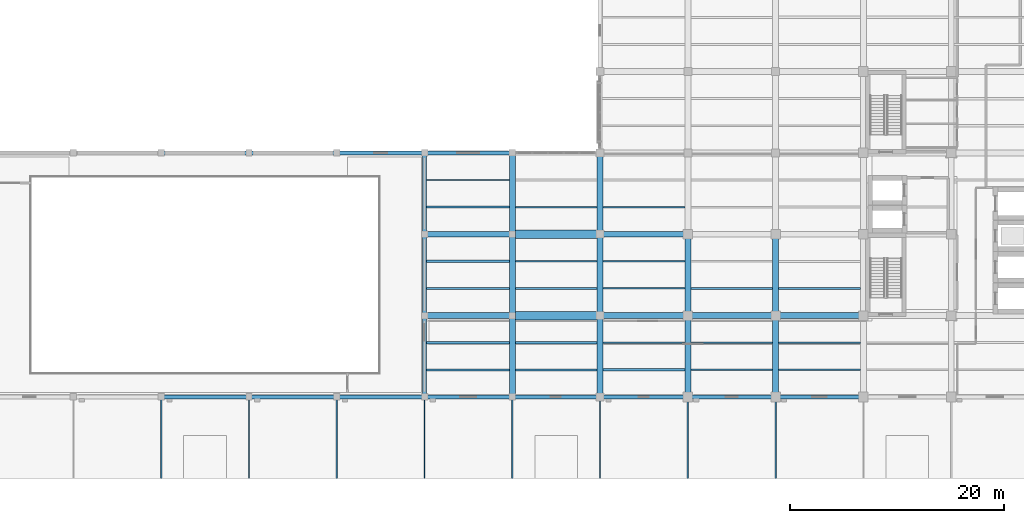
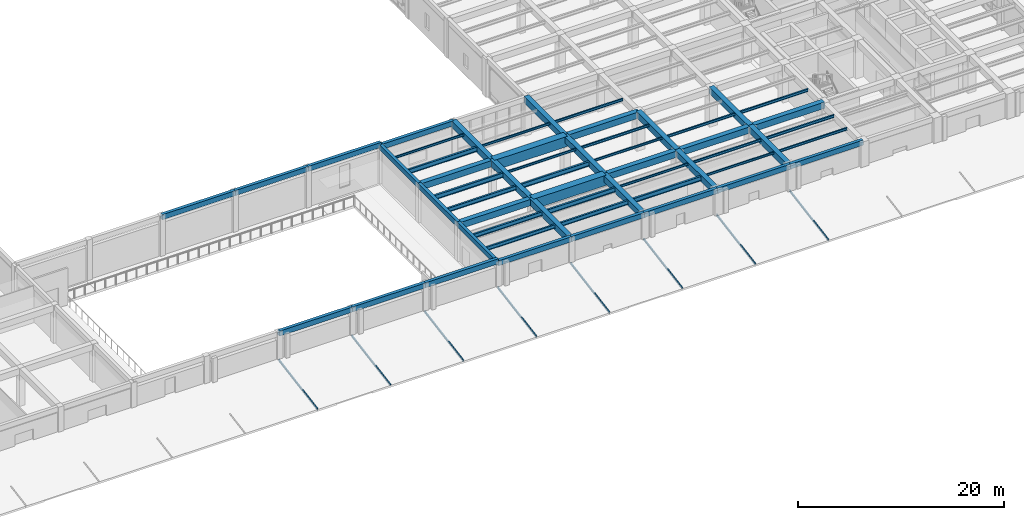
# One storey, part 9 of 57: 55 beams, 8 members.
"""IFC4 building model written with IfcOpenShell, lengths in metres."""

import ifcopenshell
import ifcopenshell.guid

model = None  # the IFC model being written
_history = None  # IfcOwnerHistory: only IFC2X3 demands one
_inside = {}  # id of a spatial element -> (the spatial element, [elements in it])
_under = {}  # id of a project, library or spatial element -> (it, [spatial elements below it])
_declared = {}  # id of a project -> (the project, [libraries it declares])
_typed = {}  # id of a type object -> (the type object, [elements of that type])
_made_of = {}  # id of a material, layer set ... -> (it, [elements and type objects made of it])


def new_model(schema):
    """Start an empty IFC model of exactly this schema.

    Asked for "IFC4X3", IfcOpenShell would pick the latest addendum, in which some entities
    have other attributes; the version numbers below select the first issue.
    IFC2X3 requires an IfcOwnerHistory on every rooted entity: one is made here for all.
    """
    global model, _history
    if schema == "IFC4X3":
        model = ifcopenshell.file(schema_version=(4, 3, 0, 0))
    else:
        model = ifcopenshell.file(schema=schema)
    _inside.clear()
    _under.clear()
    _declared.clear()
    _typed.clear()
    _made_of.clear()
    _history = None
    if model.schema == "IFC2X3":
        org = make("IfcOrganization", Name="unknown")
        user = make(
            "IfcPersonAndOrganization",
            ThePerson=make("IfcPerson", FamilyName="unknown"),
            TheOrganization=org,
        )
        app = make(
            "IfcApplication",
            ApplicationDeveloper=org,
            Version="unknown",
            ApplicationFullName="unknown",
            ApplicationIdentifier="unknown",
        )
        _history = make(
            "IfcOwnerHistory",
            OwningUser=user,
            OwningApplication=app,
            ChangeAction="ADDED",
            CreationDate=0,
        )
    return model


def make(cls, **values):
    """One entity of the class cls with the attributes given. An attribute that is None is left unset."""
    return model.create_entity(
        cls, **{name: value for name, value in values.items() if value is not None}
    )


def rooted(cls, **values):
    """An entity with a GlobalId (a new one), such as an element, a storey or a relation."""
    return make(cls, GlobalId=ifcopenshell.guid.new(), OwnerHistory=_history, **values)


def si_unit(unit_type, name, prefix=None):
    """IfcSIUnit, for example si_unit("LENGTHUNIT", "METRE", prefix="MILLI")."""
    return make("IfcSIUnit", UnitType=unit_type, Prefix=prefix, Name=name)


def assignment(units):
    """IfcUnitAssignment: the units of a project."""
    return None if units is None else make("IfcUnitAssignment", Units=units)


def point(xyz):
    """IfcCartesianPoint."""
    return None if xyz is None else make("IfcCartesianPoint", Coordinates=xyz)


def direction(xyz):
    """IfcDirection."""
    return None if xyz is None else make("IfcDirection", DirectionRatios=xyz)


def frame(location, z_axis=None, x_axis=None):
    """IfcAxis2Placement3D, a coordinate frame: its origin and axes. An axis left out is left unset."""
    return make(
        "IfcAxis2Placement3D",
        Location=point(location),
        Axis=direction(z_axis),
        RefDirection=direction(x_axis),
    )


def frame_2d(location, x_axis=None):
    """IfcAxis2Placement2D, a coordinate frame in the plane: its origin and x axis."""
    return make(
        "IfcAxis2Placement2D", Location=point(location), RefDirection=direction(x_axis)
    )


def origin():
    """The frame at (0, 0, 0) with its axes left unset."""
    return frame((0.0, 0.0, 0.0))


def origin_2d():
    """The frame at (0, 0) in the plane with its x axis left unset."""
    return frame_2d((0.0, 0.0))


def place(relative_to, where):
    """IfcLocalPlacement: puts the frame where relative to a parent placement (None: the world)."""
    return make(
        "IfcLocalPlacement", PlacementRelTo=relative_to, RelativePlacement=where
    )


def context(
    kind, dimensions, precision=None, world=None, true_north=None, identifier=None
):
    """IfcGeometricRepresentationContext, for example the 3D "Model" context."""
    return make(
        "IfcGeometricRepresentationContext",
        ContextIdentifier=identifier,
        ContextType=kind,
        CoordinateSpaceDimension=dimensions,
        Precision=precision,
        WorldCoordinateSystem=world,
        TrueNorth=true_north,
    )


def subcontext(parent, identifier, kind, view, scale=None):
    """IfcGeometricRepresentationSubContext, for example "Body" below "Model"."""
    return make(
        "IfcGeometricRepresentationSubContext",
        ContextIdentifier=identifier,
        ContextType=kind,
        ParentContext=parent,
        TargetScale=scale,
        TargetView=view,
    )


def project(units=None, contexts=None):
    """IfcProject with its units and contexts."""
    return rooted(
        "IfcProject",
        Name="project",
        RepresentationContexts=contexts,
        UnitsInContext=assignment(units),
    )


def spatial(cls, under=None, at=None, **own):
    """A site, building, storey or space (cls), placed at a placement, below another one or the project."""
    s = rooted(cls, ObjectPlacement=at, **own)
    if under is not None:
        _under.setdefault(under.id(), (under, []))[1].append(s)
    return s


def profile(cls, at=None, kind="AREA", **sizes):
    """A parametric profile (cls). Its sizes go by their IFC names, for example OverallWidth=200.0."""
    return make(cls, ProfileType=kind, Position=at, **sizes)


def rectangle(**sizes):
    """IfcRectangleProfileDef."""
    return profile("IfcRectangleProfileDef", **sizes)


def i_section(**sizes):
    """IfcIShapeProfileDef."""
    return profile("IfcIShapeProfileDef", **sizes)


def extrude(swept, where, along, depth):
    """IfcExtrudedAreaSolid: the profile swept, set in the frame where, extruded along a direction by depth."""
    return make(
        "IfcExtrudedAreaSolid",
        SweptArea=swept,
        Position=where,
        ExtrudedDirection=direction(along),
        Depth=depth,
    )


def shape(context_of_items, identifier, shape_type, items):
    """IfcShapeRepresentation: the items that make up one representation, for example the "Body"."""
    return make(
        "IfcShapeRepresentation",
        ContextOfItems=context_of_items,
        RepresentationIdentifier=identifier,
        RepresentationType=shape_type,
        Items=items,
    )


def material(Name=None, Category=None):
    """IfcMaterial."""
    return make("IfcMaterial", Name=Name, Category=Category)


def material_profile(
    of_material, cross_section, Name=None, Category=None, Priority=None
):
    """IfcMaterialProfile: a cross section and its material."""
    return make(
        "IfcMaterialProfile",
        Name=Name,
        Material=of_material,
        Profile=cross_section,
        Priority=Priority,
        Category=Category,
    )


def profile_set(profiles, Name=None, composite=None):
    """IfcMaterialProfileSet."""
    return make(
        "IfcMaterialProfileSet",
        Name=Name,
        MaterialProfiles=profiles,
        CompositeProfile=composite,
    )


def made_of(thing, what):
    """Note that an element or type object is made of a material, layer set ...; save() writes the relation."""
    if what is not None:
        _made_of.setdefault(what.id(), (what, []))[1].append(thing)
    return thing


def type_object(cls, material=None, **own):
    """A type object (cls), such as IfcWallType, which elements share."""
    return made_of(rooted(cls, **own), material)


def element(
    cls,
    number,
    at=None,
    inside=None,
    cuts=None,
    type_object=None,
    material=None,
    context=None,
    identifier="Body",
    shape_type=None,
    held_by="IfcProductDefinitionShape",
    body=None,
    shapes=None,
    **own,
):
    """One element of the class cls, such as IfcWall. Its Tag is "e" and its number.

    at: its placement. inside: the storey or other place that contains it. cuts: it is an
    opening in that element (IfcRelVoidsElement). A single representation is given by context,
    identifier, shape_type and body (its items); several are given by shapes. held_by: the class
    of the entity that holds the representations. save() writes the other relations.
    """
    e = rooted(cls, Tag="e%d" % number, ObjectPlacement=at, **own)
    if body is not None:
        shapes = [shape(context, identifier, shape_type, body)]
    if shapes is not None:
        e.Representation = make(held_by, Representations=shapes)
    if inside is not None:
        _inside.setdefault(inside.id(), (inside, []))[1].append(e)
    if cuts is not None:
        rooted(
            "IfcRelVoidsElement", RelatingBuildingElement=cuts, RelatedOpeningElement=e
        )
    if type_object is not None:
        _typed.setdefault(type_object.id(), (type_object, []))[1].append(e)
    return made_of(e, material)


def aggregate(whole, parts):
    """IfcRelAggregates: a whole, such as a stair, and the parts it consists of."""
    return rooted("IfcRelAggregates", RelatingObject=whole, RelatedObjects=parts)


def save(model, path):
    """Write the relations noted so far, then the file.

    IfcRelAggregates (storeys below a building ...), IfcRelContainedInSpatialStructure (elements
    in a storey), IfcRelDefinesByType, IfcRelAssociatesMaterial and IfcRelDeclares: one each for
    every whole, place, type object, material and project.
    """
    for whole, parts in _under.values():
        aggregate(whole, parts)
    for where, things in _inside.values():
        rooted(
            "IfcRelContainedInSpatialStructure",
            RelatedElements=things,
            RelatingStructure=where,
        )
    for kind, things in _typed.values():
        rooted("IfcRelDefinesByType", RelatedObjects=things, RelatingType=kind)
    for what, things in _made_of.values():
        rooted("IfcRelAssociatesMaterial", RelatedObjects=things, RelatingMaterial=what)
    for by, libraries in _declared.values():
        rooted("IfcRelDeclares", RelatingContext=by, RelatedDefinitions=libraries)
    model.write(path)


model = new_model("IFC4")

# Units and contexts
model_context = context("Model", 3, precision=1e-05, world=origin(), true_north=direction((0.0, 1.0)))
body_context = subcontext(model_context, "Body", "Model", "MODEL_VIEW")
ifc_project = project(units=[si_unit("LENGTHUNIT", "METRE"), si_unit("AREAUNIT", "SQUARE_METRE"), si_unit("VOLUMEUNIT", "CUBIC_METRE"), si_unit("PLANEANGLEUNIT", "RADIAN"), si_unit("MASSUNIT", "GRAM", prefix="KILO")], contexts=[model_context])

# Site, building, storey
site_placement = place(None, origin())
site = spatial("IfcSite", under=ifc_project, at=site_placement, CompositionType="ELEMENT")
building_placement = place(site_placement, origin())
building = spatial("IfcBuilding", under=site, at=building_placement, Name="Qandaris Square Conservatory and Botanical Centre", CompositionType="ELEMENT")
storey_placement = place(building_placement, frame((0.0, 0.0, 5.39990234375)))
storey = spatial("IfcBuildingStorey", under=building, at=storey_placement, Name="L01", CompositionType="ELEMENT", Elevation=5.39990234375)

# Members
ifc_material_1 = material(Name="Steel S355", Category="steel")
ifc_material_profile_1 = material_profile(ifc_material_1, i_section(OverallWidth=0.1201171875, OverallDepth=0.239990234375, WebThickness=0.006103515625, FlangeThickness=0.009765625, FilletRadius=0.014892578125, at=origin_2d()), Name="IPE 240")
ifc_profile_set_1 = profile_set([ifc_material_profile_1], Name="Steel S355")
member_type = type_object("IfcMemberType", Name="Colonnade Prairie Rafter IPE 240", PredefinedType="RAFTER", material=ifc_profile_set_1)
for number, where, z_axis, x_axis, name in (
    (1, (73.60009765625, 9.0, 0.0), (0.0, 0.985248666016, 0.17112879978), (-1.0, 0.0, 0.0), "Colonnade South Rafter 021"),
    (2, (81.800048828125, 9.0, 0.0), (0.0, 0.985248666016, 0.17112879978), (-1.0, 0.0, 0.0), "Colonnade South Rafter 022"),
    (3, (90.0, 9.0, 0.0), (0.0, 0.985248666016, 0.17112879978), (-1.0, 0.0, 0.0), "Colonnade South Rafter 023"),
    (4, (98.199951171875, 9.0, 0.0), (0.0, 0.985248666016, 0.17112879978), (-1.0, 0.0, 0.0), "Colonnade South Rafter 024"),
    (5, (106.39990234375, 9.0, 0.0), (0.0, 0.985248666016, 0.17112879978), (-1.0, 0.0, 0.0), "Colonnade South Rafter 025"),
    (6, (114.60009765625, 9.0, 0.0), (0.0, 0.985248666016, 0.17112879978), (-1.0, 0.0, 0.0), "Colonnade South Rafter 026"),
    (7, (122.800048828125, 9.0, 0.0), (0.0, 0.985248666016, 0.17112879978), (-1.0, 0.0, 0.0), "Colonnade South Rafter 027"),
    (8, (131.0, 9.0, 0.0), (0.0, 0.985248666016, 0.17112879978), (-1.0, 0.0, 0.0), "Colonnade South Rafter 028"),
):
    element("IfcMember", number, at=place(storey_placement, frame(where, z_axis=z_axis, x_axis=x_axis)), inside=storey, type_object=member_type, Name=name, PredefinedType="RAFTER", context=body_context, shape_type="SweptSolid", body=[
        extrude(i_section(OverallWidth=0.1201171875, OverallDepth=0.239990234375, WebThickness=0.006103515625, FlangeThickness=0.009765625, FilletRadius=0.014892578125, at=origin_2d()), origin(), (0.0, 0.0, 1.0), 7.7138671875),
    ])

# Beams
ifc_material_profile_2 = material_profile(ifc_material_1, i_section(OverallWidth=0.18994140625, OverallDepth=0.449951171875, WebThickness=0.009521484375, FlangeThickness=0.0146484375, FilletRadius=0.02099609375, at=origin_2d()), Name="IPE 450")
ifc_profile_set_2 = profile_set([ifc_material_profile_2], Name="Steel S355")
beam_type_1 = type_object("IfcBeamType", Name="Composite Archive Joist IPE 450", PredefinedType="JOIST", material=ifc_profile_set_2)
beam_1_placement = place(storey_placement, frame((98.375, 19.13330078125, 4.28515625), z_axis=(1.0, 0.0, 0.0), x_axis=(0.0, 1.0, 0.0)))
element("IfcBeam", 9, at=beam_1_placement, inside=storey, type_object=beam_type_1, Name="L01 Composite Joist 1155", PredefinedType="JOIST", context=body_context, shape_type="SweptSolid", body=[
    extrude(i_section(OverallWidth=0.18994140625, OverallDepth=0.449951171875, WebThickness=0.009521484375, FlangeThickness=0.0146484375, FilletRadius=0.02099609375, at=origin_2d()), origin(), (0.0, 0.0, 1.0), 7.75),
])
ifc_material_profile_3 = material_profile(ifc_material_1, i_section(OverallWidth=0.199951171875, OverallDepth=0.5, WebThickness=0.01025390625, FlangeThickness=0.01611328125, FilletRadius=0.02099609375, at=origin_2d()), Name="IPE 500")
ifc_profile_set_3 = profile_set([ifc_material_profile_3], Name="Steel S355")
beam_type_2 = type_object("IfcBeamType", Name="Composite Gallery Joist IPE 500", PredefinedType="JOIST", material=ifc_profile_set_3)
for number, where, z_axis, x_axis, name in (
    (10, (98.375, 21.666748046875, 4.260009765625), (1.0, 0.0, 0.0), (0.0, 1.0, 0.0), "L01 Composite Joist 1156"),
    (11, (98.375, 26.7333984375, 4.260009765625), (1.0, 0.0, 0.0), (0.0, 1.0, 0.0), "L01 Composite Joist 1157"),
):
    element("IfcBeam", number, at=place(storey_placement, frame(where, z_axis=z_axis, x_axis=x_axis)), inside=storey, type_object=beam_type_2, Name=name, PredefinedType="JOIST", context=body_context, shape_type="SweptSolid", body=[
        extrude(i_section(OverallWidth=0.199951171875, OverallDepth=0.5, WebThickness=0.01025390625, FlangeThickness=0.01611328125, FilletRadius=0.02099609375, at=origin_2d()), origin(), (0.0, 0.0, 1.0), 7.75),
    ])
beam_2_placement = place(storey_placement, frame((106.675048828125, 19.13330078125, 4.260009765625), z_axis=(1.0, 0.0, 0.0), x_axis=(0.0, 1.0, 0.0)))
element("IfcBeam", 12, at=beam_2_placement, inside=storey, type_object=beam_type_2, Name="L01 Composite Joist 1161", PredefinedType="JOIST", context=body_context, shape_type="SweptSolid", body=[
    extrude(i_section(OverallWidth=0.199951171875, OverallDepth=0.5, WebThickness=0.01025390625, FlangeThickness=0.01611328125, FilletRadius=0.02099609375, at=origin_2d()), origin(), (0.0, 0.0, 1.0), 7.64990234375),
])
ifc_material_profile_4 = material_profile(ifc_material_1, i_section(OverallWidth=0.14990234375, OverallDepth=0.300048828125, WebThickness=0.007080078125, FlangeThickness=0.0107421875, FilletRadius=0.014892578125, at=origin_2d()), Name="IPE 300")
ifc_profile_set_4 = profile_set([ifc_material_profile_4], Name="Steel S355")
beam_type_3 = type_object("IfcBeamType", Name="Composite Lab Joist IPE 300", PredefinedType="JOIST", material=ifc_profile_set_4)
for number, where, z_axis, x_axis, name in (
    (13, (114.875, 29.2666015625, 4.360107421875), (1.0, 0.0, 0.0), (0.0, 1.0, 0.0), "L01 Composite Joist 1170"),
    (14, (114.875, 34.333251953125, 4.360107421875), (1.0, 0.0, 0.0), (0.0, 1.0, 0.0), "L01 Composite Joist 1171"),
):
    element("IfcBeam", number, at=place(storey_placement, frame(where, z_axis=z_axis, x_axis=x_axis)), inside=storey, type_object=beam_type_3, Name=name, PredefinedType="JOIST", context=body_context, shape_type="SweptSolid", body=[
        extrude(i_section(OverallWidth=0.14990234375, OverallDepth=0.300048828125, WebThickness=0.007080078125, FlangeThickness=0.0107421875, FilletRadius=0.014892578125, at=origin_2d()), origin(), (0.0, 0.0, 1.0), 7.64990234375),
    ])
for number, where, z_axis, x_axis, name in (
    (15, (123.074951171875, 21.666748046875, 4.360107421875), (1.0, 0.0, 0.0), (0.0, 1.0, 0.0), "L01 Composite Joist 1190"),
    (16, (123.074951171875, 26.7333984375, 4.360107421875), (1.0, 0.0, 0.0), (0.0, 1.0, 0.0), "L01 Composite Joist 1191"),
    (17, (131.27490234375, 19.13330078125, 4.360107421875), (1.0, 0.0, 0.0), (0.0, 1.0, 0.0), "L01 Composite Joist 1211"),
):
    element("IfcBeam", number, at=place(storey_placement, frame(where, z_axis=z_axis, x_axis=x_axis)), inside=storey, type_object=beam_type_3, Name=name, PredefinedType="JOIST", context=body_context, shape_type="SweptSolid", body=[
        extrude(i_section(OverallWidth=0.14990234375, OverallDepth=0.300048828125, WebThickness=0.007080078125, FlangeThickness=0.0107421875, FilletRadius=0.014892578125, at=origin_2d()), origin(), (0.0, 0.0, 1.0), 7.650146484375),
    ])
ifc_material_profile_5 = material_profile(ifc_material_1, i_section(OverallWidth=0.159912109375, OverallDepth=0.330078125, WebThickness=0.007568359375, FlangeThickness=0.011474609375, FilletRadius=0.01806640625, at=origin_2d()), Name="IPE 330")
ifc_profile_set_5 = profile_set([ifc_material_profile_5], Name="Steel S355")
beam_type_4 = type_object("IfcBeamType", Name="Composite Lab Joist IPE 330", PredefinedType="JOIST", material=ifc_profile_set_5)
for number, where, z_axis, x_axis, name in (
    (18, (131.27490234375, 21.666748046875, 4.34521484375), (1.0, 0.0, 0.0), (0.0, 1.0, 0.0), "L01 Composite Joist 1212"),
    (19, (131.27490234375, 26.7333984375, 4.34521484375), (1.0, 0.0, 0.0), (0.0, 1.0, 0.0), "L01 Composite Joist 1213"),
):
    element("IfcBeam", number, at=place(storey_placement, frame(where, z_axis=z_axis, x_axis=x_axis)), inside=storey, type_object=beam_type_4, Name=name, PredefinedType="JOIST", context=body_context, shape_type="SweptSolid", body=[
        extrude(i_section(OverallWidth=0.159912109375, OverallDepth=0.330078125, WebThickness=0.007568359375, FlangeThickness=0.011474609375, FilletRadius=0.01806640625, at=origin_2d()), origin(), (0.0, 0.0, 1.0), 7.650146484375),
    ])
ifc_material_profile_6 = material_profile(ifc_material_1, i_section(OverallWidth=0.2099609375, OverallDepth=0.550048828125, WebThickness=0.010986328125, FlangeThickness=0.01708984375, FilletRadius=0.02392578125, at=origin_2d()), Name="IPE 550")
ifc_profile_set_6 = profile_set([ifc_material_profile_6], Name="Steel S355")
beam_type_5 = type_object("IfcBeamType", Name="Long-Span Foyer Joist IPE 550", PredefinedType="JOIST", material=ifc_profile_set_6)
for number, where, z_axis, x_axis, name in (
    (20, (98.375, 29.2666015625, 4.235107421875), (1.0, 0.0, 0.0), (0.0, 1.0, 0.0), "L01 Composite Joist 1158"),
    (21, (98.375, 34.333251953125, 4.235107421875), (1.0, 0.0, 0.0), (0.0, 1.0, 0.0), "L01 Composite Joist 1159"),
):
    element("IfcBeam", number, at=place(storey_placement, frame(where, z_axis=z_axis, x_axis=x_axis)), inside=storey, type_object=beam_type_5, Name=name, PredefinedType="JOIST", context=body_context, shape_type="SweptSolid", body=[
        extrude(i_section(OverallWidth=0.2099609375, OverallDepth=0.550048828125, WebThickness=0.010986328125, FlangeThickness=0.01708984375, FilletRadius=0.02392578125, at=origin_2d()), origin(), (0.0, 0.0, 1.0), 7.75),
    ])
for number, where, z_axis, x_axis, name in (
    (22, (106.675048828125, 21.666748046875, 4.235107421875), (1.0, 0.0, 0.0), (0.0, 1.0, 0.0), "L01 Composite Joist 1162"),
    (23, (106.675048828125, 26.7333984375, 4.235107421875), (1.0, 0.0, 0.0), (0.0, 1.0, 0.0), "L01 Composite Joist 1163"),
    (24, (114.875, 19.13330078125, 4.235107421875), (1.0, 0.0, 0.0), (0.0, 1.0, 0.0), "L01 Composite Joist 1167"),
):
    element("IfcBeam", number, at=place(storey_placement, frame(where, z_axis=z_axis, x_axis=x_axis)), inside=storey, type_object=beam_type_5, Name=name, PredefinedType="JOIST", context=body_context, shape_type="SweptSolid", body=[
        extrude(i_section(OverallWidth=0.2099609375, OverallDepth=0.550048828125, WebThickness=0.010986328125, FlangeThickness=0.01708984375, FilletRadius=0.02392578125, at=origin_2d()), origin(), (0.0, 0.0, 1.0), 7.64990234375),
    ])
ifc_material_2 = material(Name="Concrete C50/60", Category="concrete")
ifc_material_profile_7 = material_profile(ifc_material_2, rectangle(XDim=0.35009765625, YDim=0.60009765625, at=origin_2d()), Name="RC-SP 350x600")
ifc_profile_set_7 = profile_set([ifc_material_profile_7], Name="Concrete C50/60")
beam_type_6 = type_object("IfcBeamType", Name="RC Edge Spandrel Beam 350x600", PredefinedType="SPANDREL", material=ifc_profile_set_7)
for number, where, z_axis, x_axis, name in (
    (25, (73.60009765625, 16.60009765625, 4.5), (1.0, 0.0, 0.0), (0.0, 1.0, 0.0), "L01 Frame Beam 0904"),
    (26, (81.800048828125, 16.60009765625, 4.5), (1.0, 0.0, 0.0), (0.0, 1.0, 0.0), "L01 Frame Beam 0905"),
    (27, (90.0, 16.60009765625, 4.5), (1.0, 0.0, 0.0), (0.0, 1.0, 0.0), "L01 Frame Beam 0906"),
    (28, (98.199951171875, 16.60009765625, 4.2451171875), (1.0, 0.0, 0.0), (0.0, 1.0, 0.0), "L01 Frame Beam 0907"),
):
    element("IfcBeam", number, at=place(storey_placement, frame(where, z_axis=z_axis, x_axis=x_axis)), inside=storey, type_object=beam_type_6, Name=name, PredefinedType="SPANDREL", context=body_context, shape_type="SweptSolid", body=[
        extrude(rectangle(XDim=0.35009765625, YDim=0.60009765625, at=origin_2d()), origin(), (0.0, 0.0, 1.0), 8.199951171875),
    ])
beam_3_placement = place(storey_placement, frame((106.39990234375, 16.60009765625, 4.2451171875), z_axis=(1.0, 0.0, 0.0), x_axis=(0.0, 1.0, 0.0)))
element("IfcBeam", 29, at=beam_3_placement, inside=storey, type_object=beam_type_6, Name="L01 Frame Beam 0908", PredefinedType="SPANDREL", context=body_context, shape_type="SweptSolid", body=[
    extrude(rectangle(XDim=0.35009765625, YDim=0.60009765625, at=origin_2d()), origin(), (0.0, 0.0, 1.0), 8.2001953125),
])
for number, where, z_axis, x_axis, name in (
    (30, (114.60009765625, 16.60009765625, 4.2451171875), (1.0, 0.0, 0.0), (0.0, 1.0, 0.0), "L01 Frame Beam 0909"),
    (31, (122.800048828125, 16.60009765625, 4.2451171875), (1.0, 0.0, 0.0), (0.0, 1.0, 0.0), "L01 Frame Beam 0910"),
    (32, (131.0, 16.60009765625, 4.2451171875), (1.0, 0.0, 0.0), (0.0, 1.0, 0.0), "L01 Frame Beam 0911"),
    (33, (73.60009765625, 39.39990234375, 4.5), (1.0, 0.0, 0.0), (0.0, 1.0, 0.0), "L01 Frame Beam 0936"),
    (34, (81.800048828125, 39.39990234375, 4.5), (1.0, 0.0, 0.0), (0.0, 1.0, 0.0), "L01 Frame Beam 0937"),
    (35, (90.0, 39.39990234375, 4.5), (1.0, 0.0, 0.0), (0.0, 1.0, 0.0), "L01 Frame Beam 0938"),
    (36, (98.199951171875, 39.39990234375, 4.22021484375), (1.0, 0.0, 0.0), (0.0, 1.0, 0.0), "L01 Frame Beam 0939"),
):
    element("IfcBeam", number, at=place(storey_placement, frame(where, z_axis=z_axis, x_axis=x_axis)), inside=storey, type_object=beam_type_6, Name=name, PredefinedType="SPANDREL", context=body_context, shape_type="SweptSolid", body=[
        extrude(rectangle(XDim=0.35009765625, YDim=0.60009765625, at=origin_2d()), origin(), (0.0, 0.0, 1.0), 8.199951171875),
    ])
beam_4_placement = place(storey_placement, frame((98.199951171875, 16.60009765625, 4.22021484375), z_axis=(0.0, 1.0, 0.0), x_axis=(-1.0, 0.0, 0.0)))
element("IfcBeam", 37, at=beam_4_placement, inside=storey, type_object=beam_type_6, Name="L01 Frame Beam 1058", PredefinedType="SPANDREL", context=body_context, shape_type="SweptSolid", body=[
    extrude(rectangle(XDim=0.35009765625, YDim=0.60009765625, at=origin_2d()), origin(), (0.0, 0.0, 1.0), 7.599853515625),
])
beam_5_placement = place(storey_placement, frame((98.199951171875, 24.199951171875, 4.22021484375), z_axis=(0.0, 1.0, 0.0), x_axis=(-1.0, 0.0, 0.0)))
element("IfcBeam", 38, at=beam_5_placement, inside=storey, type_object=beam_type_6, Name="L01 Frame Beam 1059", PredefinedType="SPANDREL", context=body_context, shape_type="SweptSolid", body=[
    extrude(rectangle(XDim=0.35009765625, YDim=0.60009765625, at=origin_2d()), origin(), (0.0, 0.0, 1.0), 7.60009765625),
])
beam_6_placement = place(storey_placement, frame((98.199951171875, 31.800048828125, 4.22021484375), z_axis=(0.0, 1.0, 0.0), x_axis=(-1.0, 0.0, 0.0)))
element("IfcBeam", 39, at=beam_6_placement, inside=storey, type_object=beam_type_6, Name="L01 Frame Beam 1060", PredefinedType="SPANDREL", context=body_context, shape_type="SweptSolid", body=[
    extrude(rectangle(XDim=0.35009765625, YDim=0.60009765625, at=origin_2d()), origin(), (0.0, 0.0, 1.0), 7.599853515625),
])
ifc_material_profile_8 = material_profile(ifc_material_2, rectangle(XDim=0.550048828125, YDim=0.75, at=origin_2d()), Name="RC-BM 550x750")
ifc_profile_set_8 = profile_set([ifc_material_profile_8], Name="Concrete C50/60")
beam_type_7 = type_object("IfcBeamType", Name="RC Plinth Girder 550x750", PredefinedType="BEAM", material=ifc_profile_set_8)
for number, where, z_axis, x_axis, name in (
    (40, (98.199951171875, 24.199951171875, 4.14501953125), (1.0, 0.0, 0.0), (0.0, 1.0, 0.0), "L01 Frame Beam 0918"),
    (41, (114.60009765625, 24.199951171875, 4.14501953125), (1.0, 0.0, 0.0), (0.0, 1.0, 0.0), "L01 Frame Beam 0919"),
    (42, (122.800048828125, 24.199951171875, 4.14501953125), (1.0, 0.0, 0.0), (0.0, 1.0, 0.0), "L01 Frame Beam 0920"),
    (43, (131.0, 24.199951171875, 4.14501953125), (1.0, 0.0, 0.0), (0.0, 1.0, 0.0), "L01 Frame Beam 0921"),
    (44, (98.199951171875, 31.800048828125, 4.14501953125), (1.0, 0.0, 0.0), (0.0, 1.0, 0.0), "L01 Frame Beam 0926"),
    (45, (114.60009765625, 31.800048828125, 4.14501953125), (1.0, 0.0, 0.0), (0.0, 1.0, 0.0), "L01 Frame Beam 0927"),
):
    element("IfcBeam", number, at=place(storey_placement, frame(where, z_axis=z_axis, x_axis=x_axis)), inside=storey, type_object=beam_type_7, Name=name, PredefinedType="BEAM", context=body_context, shape_type="SweptSolid", body=[
        extrude(rectangle(XDim=0.550048828125, YDim=0.75, at=origin_2d()), origin(), (0.0, 0.0, 1.0), 8.199951171875),
    ])
beam_7_placement = place(storey_placement, frame((106.39990234375, 16.60009765625, 4.14501953125), z_axis=(0.0, 1.0, 0.0), x_axis=(-1.0, 0.0, 0.0)))
element("IfcBeam", 46, at=beam_7_placement, inside=storey, type_object=beam_type_7, Name="L01 Frame Beam 1064", PredefinedType="BEAM", context=body_context, shape_type="SweptSolid", body=[
    extrude(rectangle(XDim=0.550048828125, YDim=0.75, at=origin_2d()), origin(), (0.0, 0.0, 1.0), 7.599853515625),
])
beam_8_placement = place(storey_placement, frame((106.39990234375, 24.199951171875, 4.14501953125), z_axis=(0.0, 1.0, 0.0), x_axis=(-1.0, 0.0, 0.0)))
element("IfcBeam", 47, at=beam_8_placement, inside=storey, type_object=beam_type_7, Name="L01 Frame Beam 1065", PredefinedType="BEAM", context=body_context, shape_type="SweptSolid", body=[
    extrude(rectangle(XDim=0.550048828125, YDim=0.75, at=origin_2d()), origin(), (0.0, 0.0, 1.0), 7.60009765625),
])
for number, where, z_axis, x_axis, name in (
    (48, (106.39990234375, 31.800048828125, 4.14501953125), (0.0, 1.0, 0.0), (-1.0, 0.0, 0.0), "L01 Frame Beam 1066"),
    (49, (114.60009765625, 16.60009765625, 4.14501953125), (0.0, 1.0, 0.0), (-1.0, 0.0, 0.0), "L01 Frame Beam 1070"),
):
    element("IfcBeam", number, at=place(storey_placement, frame(where, z_axis=z_axis, x_axis=x_axis)), inside=storey, type_object=beam_type_7, Name=name, PredefinedType="BEAM", context=body_context, shape_type="SweptSolid", body=[
        extrude(rectangle(XDim=0.550048828125, YDim=0.75, at=origin_2d()), origin(), (0.0, 0.0, 1.0), 7.599853515625),
    ])
beam_9_placement = place(storey_placement, frame((114.60009765625, 24.199951171875, 4.14501953125), z_axis=(0.0, 1.0, 0.0), x_axis=(-1.0, 0.0, 0.0)))
element("IfcBeam", 50, at=beam_9_placement, inside=storey, type_object=beam_type_7, Name="L01 Frame Beam 1071", PredefinedType="BEAM", context=body_context, shape_type="SweptSolid", body=[
    extrude(rectangle(XDim=0.550048828125, YDim=0.75, at=origin_2d()), origin(), (0.0, 0.0, 1.0), 7.60009765625),
])
for number, where, z_axis, x_axis, name in (
    (51, (114.60009765625, 31.800048828125, 4.14501953125), (0.0, 1.0, 0.0), (-1.0, 0.0, 0.0), "L01 Frame Beam 1072"),
    (52, (122.800048828125, 16.60009765625, 4.14501953125), (0.0, 1.0, 0.0), (-1.0, 0.0, 0.0), "L01 Frame Beam 1083"),
):
    element("IfcBeam", number, at=place(storey_placement, frame(where, z_axis=z_axis, x_axis=x_axis)), inside=storey, type_object=beam_type_7, Name=name, PredefinedType="BEAM", context=body_context, shape_type="SweptSolid", body=[
        extrude(rectangle(XDim=0.550048828125, YDim=0.75, at=origin_2d()), origin(), (0.0, 0.0, 1.0), 7.599853515625),
    ])
beam_10_placement = place(storey_placement, frame((122.800048828125, 24.199951171875, 4.14501953125), z_axis=(0.0, 1.0, 0.0), x_axis=(-1.0, 0.0, 0.0)))
element("IfcBeam", 53, at=beam_10_placement, inside=storey, type_object=beam_type_7, Name="L01 Frame Beam 1084", PredefinedType="BEAM", context=body_context, shape_type="SweptSolid", body=[
    extrude(rectangle(XDim=0.550048828125, YDim=0.75, at=origin_2d()), origin(), (0.0, 0.0, 1.0), 7.60009765625),
])
beam_11_placement = place(storey_placement, frame((131.0, 16.60009765625, 4.14501953125), z_axis=(0.0, 1.0, 0.0), x_axis=(-1.0, 0.0, 0.0)))
element("IfcBeam", 54, at=beam_11_placement, inside=storey, type_object=beam_type_7, Name="L01 Frame Beam 1095", PredefinedType="BEAM", context=body_context, shape_type="SweptSolid", body=[
    extrude(rectangle(XDim=0.550048828125, YDim=0.75, at=origin_2d()), origin(), (0.0, 0.0, 1.0), 7.599853515625),
])
beam_12_placement = place(storey_placement, frame((131.0, 24.199951171875, 4.14501953125), z_axis=(0.0, 1.0, 0.0), x_axis=(-1.0, 0.0, 0.0)))
element("IfcBeam", 55, at=beam_12_placement, inside=storey, type_object=beam_type_7, Name="L01 Frame Beam 1096", PredefinedType="BEAM", context=body_context, shape_type="SweptSolid", body=[
    extrude(rectangle(XDim=0.550048828125, YDim=0.75, at=origin_2d()), origin(), (0.0, 0.0, 1.0), 7.60009765625),
])
ifc_material_profile_9 = material_profile(ifc_material_1, i_section(OverallWidth=0.135009765625, OverallDepth=0.27001953125, WebThickness=0.006591796875, FlangeThickness=0.01025390625, FilletRadius=0.014892578125, at=origin_2d()), Name="IPE 270")
ifc_profile_set_9 = profile_set([ifc_material_profile_9], Name="Steel S355")
beam_type_8 = type_object("IfcBeamType", Name="Steel Floor Joist IPE 270", PredefinedType="JOIST", material=ifc_profile_set_9)
beam_13_placement = place(storey_placement, frame((98.375, 36.86669921875, 4.375), z_axis=(1.0, 0.0, 0.0), x_axis=(0.0, 1.0, 0.0)))
element("IfcBeam", 56, at=beam_13_placement, inside=storey, type_object=beam_type_8, Name="L01 Composite Joist 1160", PredefinedType="JOIST", context=body_context, shape_type="SweptSolid", body=[
    extrude(i_section(OverallWidth=0.135009765625, OverallDepth=0.27001953125, WebThickness=0.006591796875, FlangeThickness=0.01025390625, FilletRadius=0.014892578125, at=origin_2d()), origin(), (0.0, 0.0, 1.0), 7.75),
])
for number, where, z_axis, x_axis, name in (
    (57, (106.675048828125, 29.2666015625, 4.375), (1.0, 0.0, 0.0), (0.0, 1.0, 0.0), "L01 Composite Joist 1164"),
    (58, (106.675048828125, 34.333251953125, 4.375), (1.0, 0.0, 0.0), (0.0, 1.0, 0.0), "L01 Composite Joist 1165"),
    (59, (114.875, 21.666748046875, 4.375), (1.0, 0.0, 0.0), (0.0, 1.0, 0.0), "L01 Composite Joist 1168"),
    (60, (114.875, 26.7333984375, 4.375), (1.0, 0.0, 0.0), (0.0, 1.0, 0.0), "L01 Composite Joist 1169"),
):
    element("IfcBeam", number, at=place(storey_placement, frame(where, z_axis=z_axis, x_axis=x_axis)), inside=storey, type_object=beam_type_8, Name=name, PredefinedType="JOIST", context=body_context, shape_type="SweptSolid", body=[
        extrude(i_section(OverallWidth=0.135009765625, OverallDepth=0.27001953125, WebThickness=0.006591796875, FlangeThickness=0.01025390625, FilletRadius=0.014892578125, at=origin_2d()), origin(), (0.0, 0.0, 1.0), 7.64990234375),
    ])
beam_14_placement = place(storey_placement, frame((123.074951171875, 19.13330078125, 4.375), z_axis=(1.0, 0.0, 0.0), x_axis=(0.0, 1.0, 0.0)))
element("IfcBeam", 61, at=beam_14_placement, inside=storey, type_object=beam_type_8, Name="L01 Composite Joist 1189", PredefinedType="JOIST", context=body_context, shape_type="SweptSolid", body=[
    extrude(i_section(OverallWidth=0.135009765625, OverallDepth=0.27001953125, WebThickness=0.006591796875, FlangeThickness=0.01025390625, FilletRadius=0.014892578125, at=origin_2d()), origin(), (0.0, 0.0, 1.0), 7.650146484375),
])
ifc_material_profile_10 = material_profile(ifc_material_2, rectangle(XDim=0.800048828125, YDim=1.199951171875, at=origin_2d()), Name="RC-TG 800x1200")
ifc_profile_set_10 = profile_set([ifc_material_profile_10], Name="Concrete C50/60")
beam_type_9 = type_object("IfcBeamType", Name="Transfer Girder TG2 800x1200", PredefinedType="BEAM", material=ifc_profile_set_10)
for number, where, z_axis, x_axis, name in (
    (62, (106.39990234375, 24.199951171875, 3.920166015625), (1.0, 0.0, 0.0), (0.0, 1.0, 0.0), "Transfer Girder TG2-01"),
    (63, (106.39990234375, 31.800048828125, 3.920166015625), (1.0, 0.0, 0.0), (0.0, 1.0, 0.0), "Transfer Girder TG2-02"),
):
    element("IfcBeam", number, at=place(storey_placement, frame(where, z_axis=z_axis, x_axis=x_axis)), inside=storey, type_object=beam_type_9, Name=name, PredefinedType="BEAM", context=body_context, shape_type="SweptSolid", body=[
        extrude(rectangle(XDim=0.800048828125, YDim=1.199951171875, at=origin_2d()), origin(), (0.0, 0.0, 1.0), 8.2001953125),
    ])

save(model, "model.ifc")
